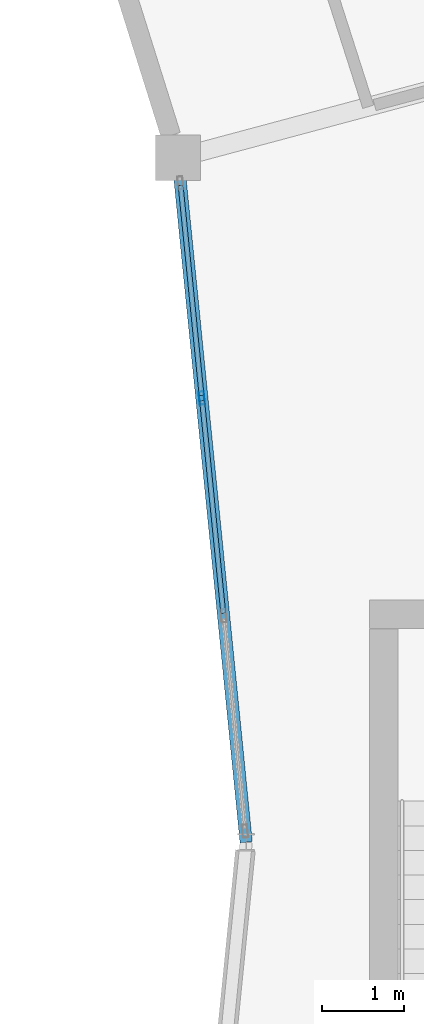
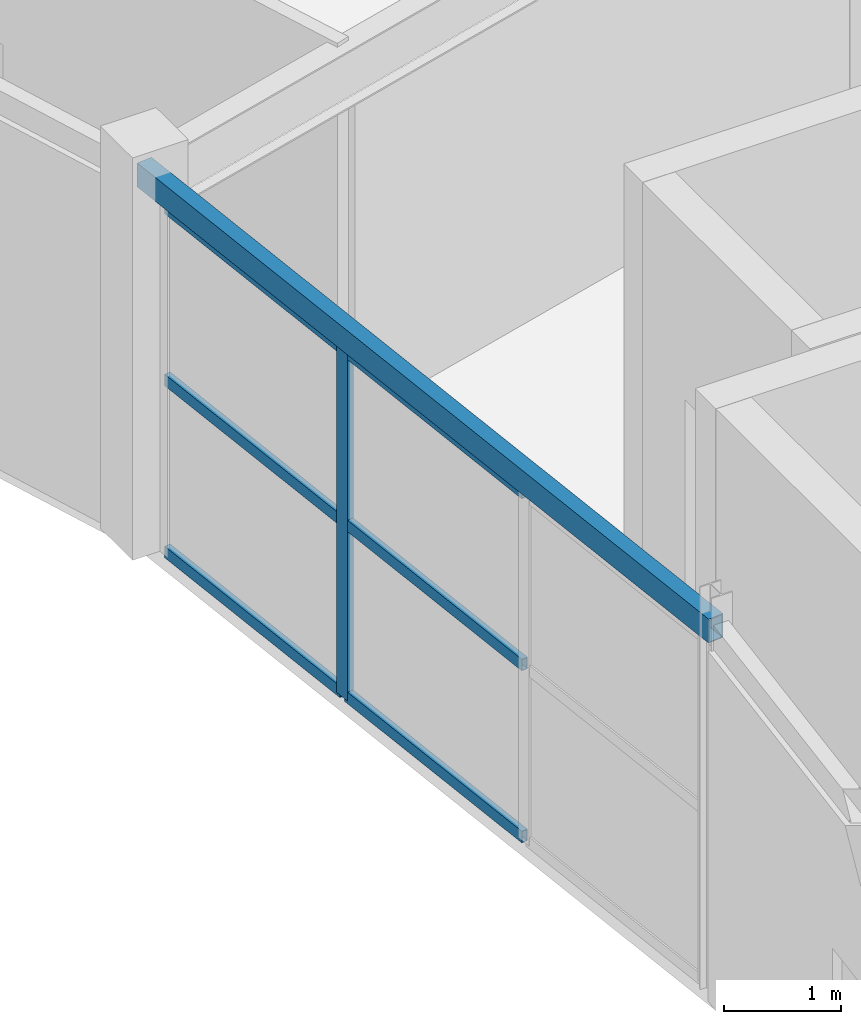
# One storey, part 61 of 134: 7 members, 1 beam, 1 element without a shape of its own.
"""IFC4 building model written with IfcOpenShell, lengths in metres."""

from ifc_helpers import new_model, si_unit, direction, frame, origin, origin_2d, place, context, subcontext, project, spatial, hollow_rectangle, extrude, material, material_profile, profile_set, type_object, element, aggregate, save


model = new_model("IFC4")

# Units and contexts
model_context = context("Model", 3, precision=1e-05, world=origin(), true_north=direction((0.0, 1.0)))
body_context = subcontext(model_context, "Body", "Model", "MODEL_VIEW")
ifc_project = project(units=[si_unit("LENGTHUNIT", "METRE"), si_unit("AREAUNIT", "SQUARE_METRE"), si_unit("VOLUMEUNIT", "CUBIC_METRE"), si_unit("PLANEANGLEUNIT", "RADIAN"), si_unit("MASSUNIT", "GRAM", prefix="KILO")], contexts=[model_context])

# Site, building, storey
site_placement = place(None, origin())
site = spatial("IfcSite", under=ifc_project, at=site_placement, CompositionType="ELEMENT")
building_placement = place(site_placement, origin())
building = spatial("IfcBuilding", under=site, at=building_placement, Name="Karori Crest Natural Sciences Institute", CompositionType="ELEMENT")
storey_placement = place(building_placement, frame((0.0, 0.0, 21.699951171875)))
storey = spatial("IfcBuildingStorey", under=building, at=storey_placement, Name="L05", CompositionType="ELEMENT", Elevation=21.699951171875)

# Beam
ifc_material_1 = material(Name="Hollow structural steel AS/NZS 1163 Grade C350", Category="steel")
ifc_material_profile_1 = material_profile(ifc_material_1, hollow_rectangle(XDim=0.14990234375, YDim=0.25, WallThickness=0.009033203125, at=origin_2d()), Name="RHS250x150x9")
ifc_profile_set_1 = profile_set([ifc_material_profile_1], Name="Hollow structural steel AS/NZS 1163 Grade C350")
beam_type = type_object("IfcBeamType", Name="BT-16", PredefinedType="SPANDREL", material=ifc_profile_set_1)
beam_placement = place(storey_placement, frame((90.800048828125, 49.89990234375, 3.7900390625), z_axis=(-0.099284371237, 0.99505910057, 0.0), x_axis=(-0.99505910057, -0.099284371237, 0.0)))
element("IfcBeam", 1, at=beam_placement, inside=storey, type_object=beam_type, Name="Beam B-0542", PredefinedType="SPANDREL", context=body_context, shape_type="SweptSolid", body=[
    extrude(hollow_rectangle(XDim=0.14990234375, YDim=0.25, WallThickness=0.009033203125, at=origin_2d()), origin(), (0.0, 0.0, 1.0), 8.37548828125),
])

# Curtain wall, members
ifc_material_2 = material(Name="Anodised architectural aluminium 6063-T6", Category="aluminium")
curtain_wall_type = type_object("IfcCurtainWallType", Name="CWT-11", PredefinedType="NOTDEFINED", material=ifc_material_2)
curtain_wall_placement = place(storey_placement, origin())
curtain_wall = element("IfcCurtainWall", 2, at=curtain_wall_placement, inside=storey, type_object=curtain_wall_type, Name="Curtain wall CW-0173", PredefinedType="NOTDEFINED")
ifc_material_profile_2 = material_profile(ifc_material_2, hollow_rectangle(XDim=0.06494140625, YDim=0.159912109375, WallThickness=0.00390625, at=origin_2d()), Name="CWM160x65x4")
ifc_profile_set_2 = profile_set([ifc_material_profile_2], Name="Anodised architectural aluminium 6063-T6")
member_type_1 = type_object("IfcMemberType", Name="CWM-01", PredefinedType="MULLION", material=ifc_profile_set_2)
member_1_placement = place(storey_placement, frame((90.260498046875, 55.308349609375, 0.0), z_axis=(0.0, 0.0, 1.0), x_axis=(-0.995060684604, -0.099268494275, 0.0)))
member_1 = element("IfcMember", 3, at=member_1_placement, type_object=member_type_1, Name="CW-0173 mullion 3", PredefinedType="MULLION", context=body_context, shape_type="SweptSolid", body=[
    extrude(hollow_rectangle(XDim=0.06494140625, YDim=0.159912109375, WallThickness=0.00390625, at=origin_2d()), origin(), (0.0, 0.0, 1.0), 3.650146484375),
])
ifc_material_profile_3 = material_profile(ifc_material_2, hollow_rectangle(XDim=0.06005859375, YDim=0.1201171875, WallThickness=0.00390625, at=origin_2d()), Name="CWT120x60x4")
ifc_profile_set_3 = profile_set([ifc_material_profile_3], Name="Anodised architectural aluminium 6063-T6")
member_type_2 = type_object("IfcMemberType", Name="CWT-TR1", PredefinedType="USERDEFINED", material=ifc_profile_set_3)
member_2_placement = place(storey_placement, frame((90.521728515625, 52.68798828125, 0.030029296875), z_axis=(-0.099224881273, 0.995065034526, 0.0), x_axis=(-0.995065034526, -0.099224881273, 0.0)))
member_2 = element("IfcMember", 4, at=member_2_placement, type_object=member_type_2, Name="CW-0173 transom 2.1", ObjectType="TRANSOM", PredefinedType="USERDEFINED", context=body_context, shape_type="SweptSolid", body=[
    extrude(hollow_rectangle(XDim=0.06005859375, YDim=0.1201171875, WallThickness=0.00390625, at=origin_2d()), origin(), (0.0, 0.0, 1.0), 2.600830078125),
])
member_3_placement = place(storey_placement, frame((90.521728515625, 52.68798828125, 1.824951171875), z_axis=(-0.099224881273, 0.995065034526, 0.0), x_axis=(-0.995065034526, -0.099224881273, 0.0)))
member_3 = element("IfcMember", 5, at=member_3_placement, type_object=member_type_2, Name="CW-0173 transom 2.2", ObjectType="TRANSOM", PredefinedType="USERDEFINED", context=body_context, shape_type="SweptSolid", body=[
    extrude(hollow_rectangle(XDim=0.06005859375, YDim=0.1201171875, WallThickness=0.00390625, at=origin_2d()), origin(), (0.0, 0.0, 1.0), 2.600830078125),
])
member_4_placement = place(storey_placement, frame((90.521728515625, 52.68798828125, 3.6201171875), z_axis=(-0.099224881273, 0.995065034526, 0.0), x_axis=(-0.995065034526, -0.099224881273, 0.0)))
member_4 = element("IfcMember", 6, at=member_4_placement, type_object=member_type_2, Name="CW-0173 transom 2.3", ObjectType="TRANSOM", PredefinedType="USERDEFINED", context=body_context, shape_type="SweptSolid", body=[
    extrude(hollow_rectangle(XDim=0.06005859375, YDim=0.1201171875, WallThickness=0.00390625, at=origin_2d()), origin(), (0.0, 0.0, 1.0), 2.600830078125),
])
member_5_placement = place(storey_placement, frame((90.25732421875, 55.340576171875, 0.030029296875), z_axis=(-0.0993343095, 0.995054116597, 0.0), x_axis=(-0.995054116597, -0.0993343095, 0.0)))
member_5 = element("IfcMember", 7, at=member_5_placement, type_object=member_type_2, Name="CW-0173 transom 3.1", ObjectType="TRANSOM", PredefinedType="USERDEFINED", context=body_context, shape_type="SweptSolid", body=[
    extrude(hollow_rectangle(XDim=0.06005859375, YDim=0.1201171875, WallThickness=0.00390625, at=origin_2d()), origin(), (0.0, 0.0, 1.0), 2.568359375),
])
member_6_placement = place(storey_placement, frame((90.25732421875, 55.340576171875, 1.824951171875), z_axis=(-0.0993343095, 0.995054116597, 0.0), x_axis=(-0.995054116597, -0.0993343095, 0.0)))
member_6 = element("IfcMember", 8, at=member_6_placement, type_object=member_type_2, Name="CW-0173 transom 3.2", ObjectType="TRANSOM", PredefinedType="USERDEFINED", context=body_context, shape_type="SweptSolid", body=[
    extrude(hollow_rectangle(XDim=0.06005859375, YDim=0.1201171875, WallThickness=0.00390625, at=origin_2d()), origin(), (0.0, 0.0, 1.0), 2.568359375),
])
member_7_placement = place(storey_placement, frame((90.25732421875, 55.340576171875, 3.6201171875), z_axis=(-0.0993343095, 0.995054116597, 0.0), x_axis=(-0.995054116597, -0.0993343095, 0.0)))
member_7 = element("IfcMember", 9, at=member_7_placement, type_object=member_type_2, Name="CW-0173 transom 3.3", ObjectType="TRANSOM", PredefinedType="USERDEFINED", context=body_context, shape_type="SweptSolid", body=[
    extrude(hollow_rectangle(XDim=0.06005859375, YDim=0.1201171875, WallThickness=0.00390625, at=origin_2d()), origin(), (0.0, 0.0, 1.0), 2.568359375),
])
aggregate(curtain_wall, [member_1, member_2, member_3, member_4, member_5, member_6, member_7])

save(model, "model.ifc")
